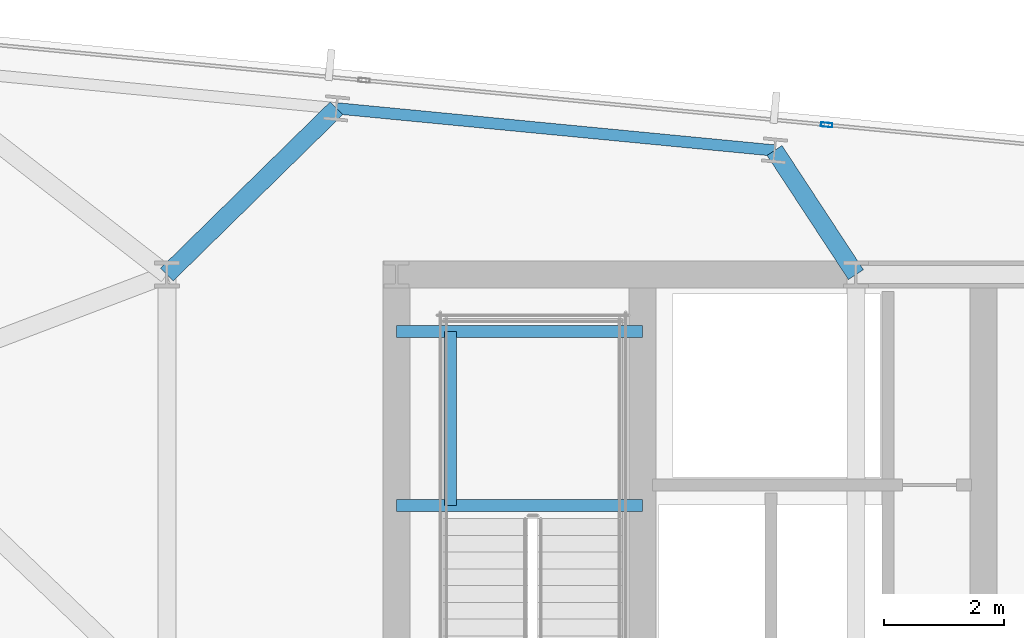
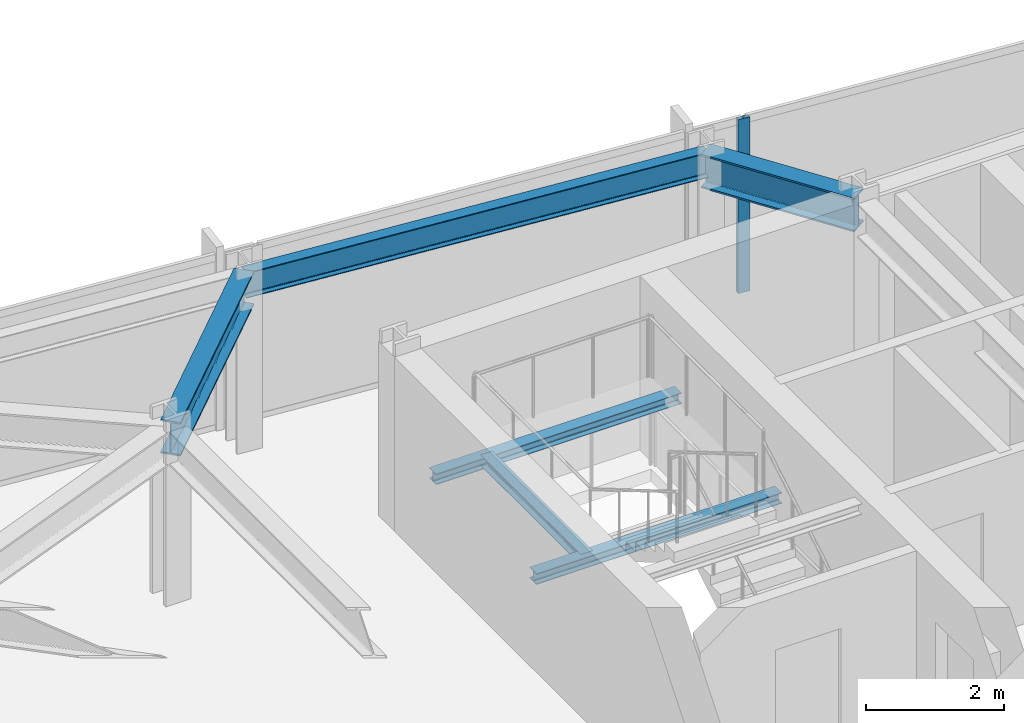
# One storey, part 24 of 37: 6 beams, 1 member, 1 element without a shape of its own.
"""IFC4 building model written with IfcOpenShell, lengths in metres."""

from ifc_helpers import new_model, si_unit, direction, frame, origin, origin_2d, place, context, subcontext, project, spatial, hollow_rectangle, i_section, extrude, material, material_profile, profile_set, type_object, element, aggregate, save


model = new_model("IFC4")

# Units and contexts
model_context = context("Model", 3, precision=1e-05, world=origin(), true_north=direction((0.0, 1.0)))
body_context = subcontext(model_context, "Body", "Model", "MODEL_VIEW")
ifc_project = project(units=[si_unit("LENGTHUNIT", "METRE"), si_unit("AREAUNIT", "SQUARE_METRE"), si_unit("VOLUMEUNIT", "CUBIC_METRE"), si_unit("PLANEANGLEUNIT", "RADIAN"), si_unit("MASSUNIT", "GRAM", prefix="KILO")], contexts=[model_context])

# Site, building, storey
site_placement = place(None, origin())
site = spatial("IfcSite", under=ifc_project, at=site_placement, CompositionType="ELEMENT")
building_placement = place(site_placement, origin())
building = spatial("IfcBuilding", under=site, at=building_placement, Name="Yelkora Congress Tower", CompositionType="ELEMENT")
storey_placement = place(building_placement, frame((0.0, 0.0, 182.0)))
storey = spatial("IfcBuildingStorey", under=building, at=storey_placement, Name="L50", CompositionType="ELEMENT", Elevation=182.0)

# Beams
ifc_material_1 = material(Name="Steel S355J2", Category="steel")
ifc_material_profile_1 = material_profile(ifc_material_1, i_section(OverallWidth=0.300048828125, OverallDepth=0.60009765625, WebThickness=0.015380859375, FlangeThickness=0.030029296875, FilletRadius=0.027099609375, at=origin_2d()), Name="HEB 600")
ifc_profile_set_1 = profile_set([ifc_material_profile_1], Name="Steel S355J2")
beam_type_1 = type_object("IfcBeamType", Name="BM-GIRD-HEB600", PredefinedType="BEAM", material=ifc_profile_set_1)
beam_1_placement = place(storey_placement, frame((22.035400390625, 48.980224609375, 2.780029296875), z_axis=(-0.714019806588, -0.700125500036, 0.0), x_axis=(0.700125500036, -0.714019806588, 0.0)))
element("IfcBeam", 1, at=beam_1_placement, inside=storey, type_object=beam_type_1, Name="L50 Primary Frame Girder N03", PredefinedType="BEAM", context=body_context, shape_type="SweptSolid", body=[
    extrude(i_section(OverallWidth=0.300048828125, OverallDepth=0.60009765625, WebThickness=0.015380859375, FlangeThickness=0.030029296875, FilletRadius=0.027099609375, at=origin_2d()), origin(), (0.0, 0.0, 1.0), 3.97119140625),
])
beam_2_placement = place(storey_placement, frame((29.358642578125, 48.275146484375, 2.780029296875), z_axis=(0.548510321976, -0.8361437835, 0.0), x_axis=(0.8361437835, 0.548510321976, 0.0)))
element("IfcBeam", 2, at=beam_2_placement, inside=storey, type_object=beam_type_1, Name="L50 Primary Frame Girder N04", PredefinedType="BEAM", context=body_context, shape_type="SweptSolid", body=[
    extrude(i_section(OverallWidth=0.300048828125, OverallDepth=0.60009765625, WebThickness=0.015380859375, FlangeThickness=0.030029296875, FilletRadius=0.027099609375, at=origin_2d()), origin(), (0.0, 0.0, 1.0), 2.48193359375),
])
ifc_material_profile_2 = material_profile(ifc_material_1, i_section(OverallWidth=0.199951171875, OverallDepth=0.18994140625, WebThickness=0.006591796875, FlangeThickness=0.010009765625, FilletRadius=0.01806640625, at=origin_2d()), Name="HEA 200")
ifc_profile_set_2 = profile_set([ifc_material_profile_2], Name="Steel S355J2")
beam_type_2 = type_object("IfcBeamType", Name="BM-LAND-HEA200", PredefinedType="BEAM", material=ifc_profile_set_2)
for number, where, z_axis, x_axis, name in (
    (3, (23.0400390625, 42.340087890625, 1.334716796875), (1.0, 0.0, 0.0), (0.0, 1.0, 0.0), "ST-01 L50 Landing Header Beam 1S"),
    (4, (23.0400390625, 45.25, 1.334716796875), (1.0, 0.0, 0.0), (0.0, 1.0, 0.0), "ST-01 L50 Landing Header Beam 1N"),
):
    element("IfcBeam", number, at=place(storey_placement, frame(where, z_axis=z_axis, x_axis=x_axis)), inside=storey, type_object=beam_type_2, Name=name, PredefinedType="BEAM", context=body_context, shape_type="SweptSolid", body=[
        extrude(i_section(OverallWidth=0.199951171875, OverallDepth=0.18994140625, WebThickness=0.006591796875, FlangeThickness=0.010009765625, FilletRadius=0.01806640625, at=origin_2d()), origin(), (0.0, 0.0, 1.0), 4.10986328125),
    ])
beam_3_placement = place(storey_placement, frame((23.93994140625, 42.340087890625, 1.334716796875), z_axis=(0.0, 1.0, 0.0), x_axis=(-1.0, 0.0, 0.0)))
element("IfcBeam", 5, at=beam_3_placement, inside=storey, type_object=beam_type_2, Name="ST-01 L50 Landing Trimmer Beam 1M", PredefinedType="BEAM", context=body_context, shape_type="SweptSolid", body=[
    extrude(i_section(OverallWidth=0.199951171875, OverallDepth=0.18994140625, WebThickness=0.006591796875, FlangeThickness=0.010009765625, FilletRadius=0.01806640625, at=origin_2d()), origin(), (0.0, 0.0, 1.0), 2.909912109375),
])
ifc_material_profile_3 = material_profile(ifc_material_1, i_section(OverallWidth=0.18994140625, OverallDepth=0.449951171875, WebThickness=0.009521484375, FlangeThickness=0.0146484375, FilletRadius=0.02099609375, at=origin_2d()), Name="IPE 450")
ifc_profile_set_3 = profile_set([ifc_material_profile_3], Name="Steel S355J2")
beam_type_3 = type_object("IfcBeamType", Name="BM-SPAN-IPE450", PredefinedType="SPANDREL", material=ifc_profile_set_3)
beam_4_placement = place(storey_placement, frame((29.358642578125, 48.275146484375, 2.85498046875), z_axis=(-0.995397104697, 0.095836339457, 0.0), x_axis=(-0.095836339457, -0.995397104697, 0.0)))
element("IfcBeam", 6, at=beam_4_placement, inside=storey, type_object=beam_type_3, Name="L50 Perimeter Beam 13", PredefinedType="SPANDREL", context=body_context, shape_type="SweptSolid", body=[
    extrude(i_section(OverallWidth=0.18994140625, OverallDepth=0.449951171875, WebThickness=0.009521484375, FlangeThickness=0.0146484375, FilletRadius=0.02099609375, at=origin_2d()), origin(), (0.0, 0.0, 1.0), 7.357177734375),
])

# Curtain wall, member
ifc_material_2 = material(Name="Anodised aluminium and insulated glass", Category="aluminium")
curtain_wall_type = type_object("IfcCurtainWallType", Name="CW-SYS-B3", PredefinedType="NOTDEFINED", material=ifc_material_2)
curtain_wall_placement = place(storey_placement, origin())
curtain_wall = element("IfcCurtainWall", 7, at=curtain_wall_placement, inside=storey, type_object=curtain_wall_type, Name="L50 Unitised Curtain Wall 10 (1)", PredefinedType="NOTDEFINED")
ifc_material_3 = material(Name="Anodised aluminium 6063-T6", Category="aluminium")
ifc_material_profile_4 = material_profile(ifc_material_3, hollow_rectangle(XDim=0.070068359375, YDim=0.18994140625, WallThickness=0.00390625, at=origin_2d()), Name="ALU 70x190x4")
ifc_profile_set_4 = profile_set([ifc_material_profile_4], Name="Anodised aluminium 6063-T6")
member_type = type_object("IfcMemberType", Name="MEM-ML-B3", PredefinedType="MULLION", material=ifc_profile_set_4)
member_placement = place(storey_placement, frame((30.230224609375, 48.70361328125, 0.0), z_axis=(0.0, 0.0, 1.0), x_axis=(0.095844761168, 0.995396293823, 0.0)))
member = element("IfcMember", 8, at=member_placement, type_object=member_type, Name="CW-B3 mullion 4", PredefinedType="MULLION", context=body_context, shape_type="SweptSolid", body=[
    extrude(hollow_rectangle(XDim=0.070068359375, YDim=0.18994140625, WallThickness=0.00390625, at=origin_2d()), origin(), (0.0, 0.0, 1.0), 3.080078125),
])
aggregate(curtain_wall, [member])

save(model, "model.ifc")
